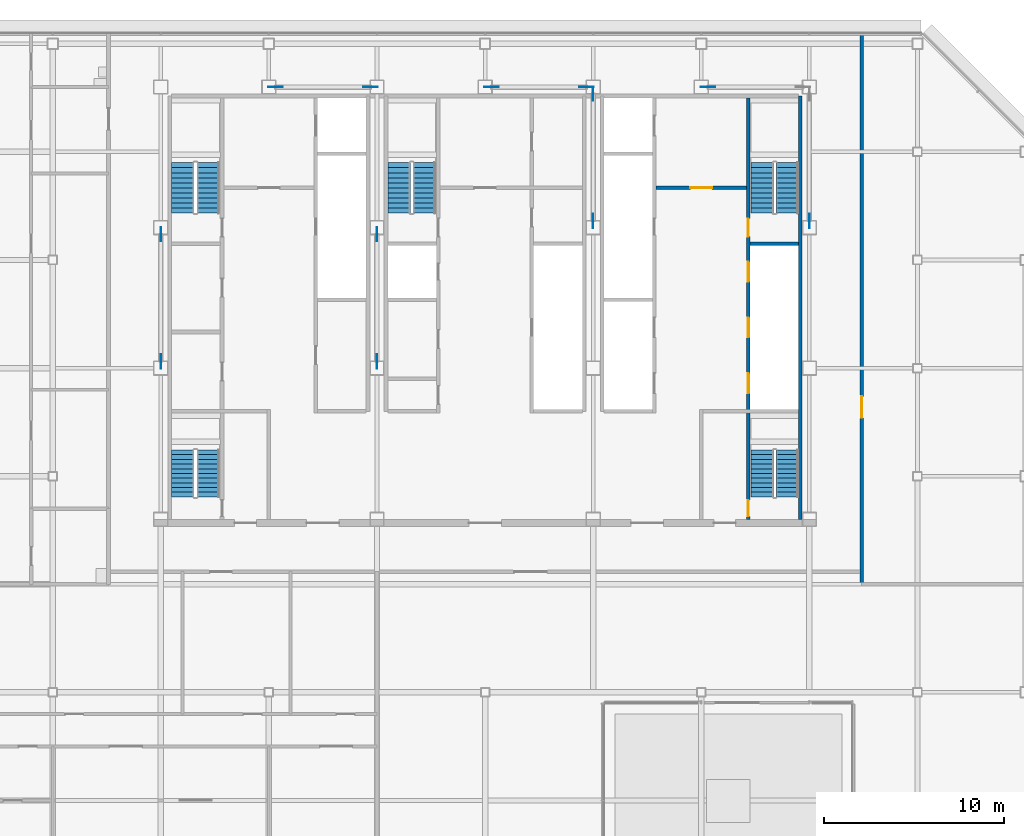
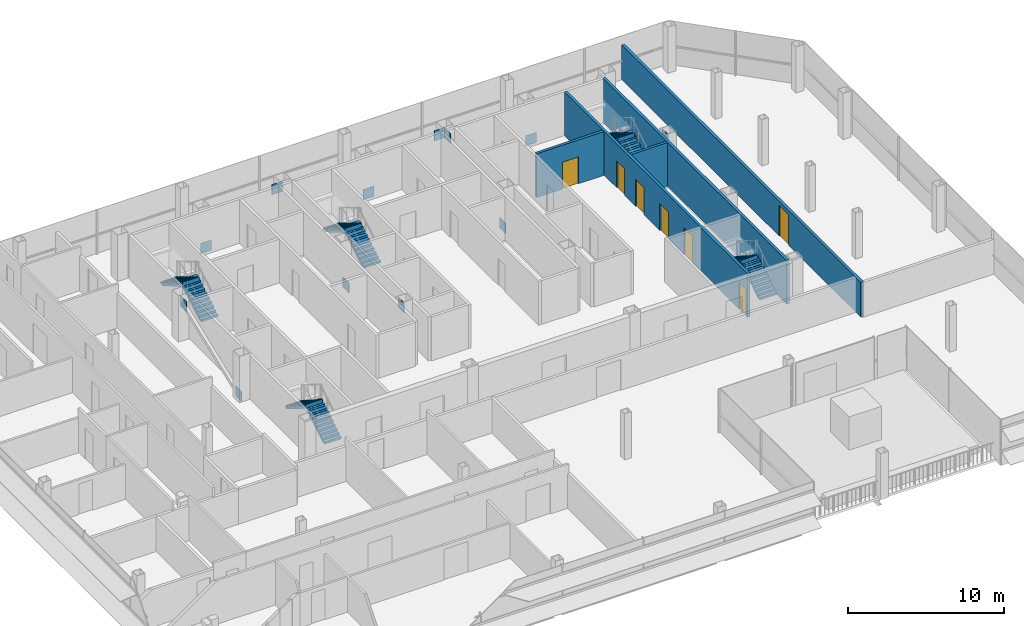
# One storey, part 25 of 30: 12 discrete accessories, 10 stair flights, 7 doors, 5 walls, 7 openings, 5 elements without a shape of their own.
"""IFC4 building model written with IfcOpenShell, lengths in metres."""

from ifc_helpers import new_model, si_unit, direction, frame, frame_2d, origin, origin_2d, place, context, subcontext, project, spatial, polyline, rectangle, outline, extrude, material, layer, layer_set, type_object, element, fill, aggregate, save


model = new_model("IFC4")

# Units and contexts
model_context = context("Model", 3, precision=1e-05, world=origin(), true_north=direction((0.0, 1.0)))
body_context = subcontext(model_context, "Body", "Model", "MODEL_VIEW")
ifc_project = project(units=[si_unit("LENGTHUNIT", "METRE"), si_unit("AREAUNIT", "SQUARE_METRE"), si_unit("VOLUMEUNIT", "CUBIC_METRE"), si_unit("PLANEANGLEUNIT", "RADIAN"), si_unit("MASSUNIT", "GRAM", prefix="KILO")], contexts=[model_context])

# Site, building, storey
site_placement = place(None, origin())
site = spatial("IfcSite", under=ifc_project, at=site_placement, CompositionType="ELEMENT")
building_placement = place(site_placement, origin())
building = spatial("IfcBuilding", under=site, at=building_placement, Name="Sorahane Residences", CompositionType="ELEMENT")
storey_placement = place(building_placement, frame((0.0, 0.0, 263.0)))
storey = spatial("IfcBuildingStorey", under=building, at=storey_placement, Name="L62", CompositionType="ELEMENT", Elevation=263.0)

# Wall
ifc_material_1 = material(Name="Concrete C30", Category="concrete")
ifc_layer_1 = layer(ifc_material_1, 0.199951171875)
ifc_layer_set_1 = layer_set([ifc_layer_1], Name="Core face wall 200 EI 180")
wall_type_1 = type_object("IfcWallType", Name="Core face wall 200 EI 180", PredefinedType="SOLIDWALL", material=ifc_layer_set_1)
wall_1_placement = place(storey_placement, frame((41.5, 21.60009765625, 0.0), z_axis=(0.0, 0.0, 1.0), x_axis=(0.0, 1.0, 0.0)))
element("IfcWall", 1, at=wall_1_placement, inside=storey, type_object=wall_type_1, Name="L62 core face wall", PredefinedType="SOLIDWALL", context=body_context, shape_type="SweptSolid", body=[
    extrude(rectangle(XDim=23.5, YDim=0.199951171875, at=frame_2d((11.75, 0.0))), origin(), (0.0, 0.0, 1.0), 3.419921875),
])

# Wall, opening, door
ifc_material_2 = material(Name="Concrete blockwork C20 wall", Category="masonry")
ifc_layer_2 = layer(ifc_material_2, 0.199951171875)
ifc_layer_set_2 = layer_set([ifc_layer_2], Name="Corridor wall 200 EI 120")
wall_type_2 = type_object("IfcWallType", Name="Corridor wall 200 EI 120", PredefinedType="SOLIDWALL", material=ifc_layer_set_2)
wall_2_placement = place(storey_placement, frame((44.89990234375, 18.001953125, 0.0), z_axis=(0.0, 0.0, 1.0), x_axis=(0.0, 1.0, 0.0)))
wall_2 = element("IfcWall", 2, at=wall_2_placement, inside=storey, type_object=wall_type_2, Name="L62 corridor wall", PredefinedType="SOLIDWALL", context=body_context, shape_type="SweptSolid", body=[
    extrude(rectangle(XDim=30.59814453125, YDim=0.199951171875, at=frame_2d((15.299072265625, 0.0))), origin(), (0.0, 0.0, 1.0), 2.719970703125),
])
opening_1_placement = place(wall_2_placement, frame((9.22998046875, 0.0, 0.0)))
opening_1 = element("IfcOpeningElement", 3, at=opening_1_placement, cuts=wall_2, Name="Opening L62-28", PredefinedType="OPENING", context=body_context, shape_type="SweptSolid", body=[
    extrude(rectangle(XDim=1.199951171875, YDim=2.39990234375, at=frame_2d((0.60009765625, 1.199951171875))), frame((0.0, 0.10986328125, 0.0), z_axis=(0.0, -1.0, 0.0), x_axis=(1.0, 0.0, 0.0)), (0.0, 0.0, 1.0), 0.219970703125),
])
ifc_material_3 = material(Name="Steel", Category="steel")
door_type_1 = type_object("IfcDoorType", Name="Lobby door 1200x2400 FD60", OperationType="NOTDEFINED", PredefinedType="DOOR", material=ifc_material_3)
door_1_placement = place(opening_1_placement, frame((1.199951171875, 0.0, 0.0), z_axis=(0.0, 0.0, 1.0), x_axis=(-1.0, 0.0, 0.0)))
door_1 = element("IfcDoor", 4, at=door_1_placement, inside=storey, type_object=door_type_1, Name="Lobby door L62-28", OperationType="SINGLE_SWING_LEFT", OverallHeight=2.39990234375, OverallWidth=1.199951171875, PredefinedType="DOOR", context=body_context, shape_type="SweptSolid", body=[
    extrude(rectangle(XDim=1.199951171875, YDim=2.39990234375, at=frame_2d((0.60009765625, 1.199951171875))), frame((0.0, 0.02490234375, 0.0), z_axis=(0.0, -1.0, 0.0), x_axis=(1.0, 0.0, 0.0)), (0.0, 0.0, 1.0), 0.050048828125),
])
fill(opening_1, door_1)

ifc_material_4 = material(Name="Concrete C30", Category="concrete")
ifc_layer_3 = layer(ifc_material_4, 0.199951171875)
ifc_layer_set_3 = layer_set([ifc_layer_3], Name="Front room wall 200 EI 120")
wall_type_3 = type_object("IfcWallType", Name="Front room wall 200 EI 120", PredefinedType="PARTITIONING", material=ifc_layer_set_3)
wall_3_placement = place(storey_placement, frame((33.5, 40.0, 0.0), z_axis=(0.0, 0.0, 1.0), x_axis=(1.0, 0.0, 0.0)))
wall_3 = element("IfcWall", 5, at=wall_3_placement, inside=storey, type_object=wall_type_3, Name="L62 front room wall", PredefinedType="PARTITIONING", context=body_context, shape_type="SweptSolid", body=[
    extrude(rectangle(XDim=5.0, YDim=0.199951171875, at=frame_2d((2.5, 0.0))), origin(), (0.0, 0.0, 1.0), 3.419921875),
])
opening_2_placement = place(wall_3_placement, frame((1.89990234375, 0.0, 0.0)))
opening_2 = element("IfcOpeningElement", 6, at=opening_2_placement, cuts=wall_3, Name="Opening L62-C08", PredefinedType="OPENING", context=body_context, shape_type="SweptSolid", body=[
    extrude(rectangle(XDim=1.199951171875, YDim=2.10009765625, at=frame_2d((0.60009765625, 1.050048828125))), frame((0.0, 0.10986328125, 0.0), z_axis=(0.0, -1.0, 0.0), x_axis=(1.0, 0.0, 0.0)), (0.0, 0.0, 1.0), 0.219970703125),
])
ifc_material_5 = material(Name="Steel", Category="steel")
door_type_2 = type_object("IfcDoorType", Name="Front room door 1200x2100 FD120", OperationType="NOTDEFINED", PredefinedType="DOOR", material=ifc_material_5)
door_2_placement = place(opening_2_placement, frame((1.199951171875, 0.0, 0.0), z_axis=(0.0, 0.0, 1.0), x_axis=(-1.0, 0.0, 0.0)))
door_2 = element("IfcDoor", 7, at=door_2_placement, inside=storey, type_object=door_type_2, Name="Front room door Firefighting lobby FF2 front room L62", OperationType="DOUBLE_DOOR_SINGLE_SWING", OverallHeight=2.10009765625, OverallWidth=1.199951171875, PredefinedType="DOOR", context=body_context, shape_type="SweptSolid", body=[
    extrude(rectangle(XDim=1.199951171875, YDim=2.10009765625, at=frame_2d((0.60009765625, 1.050048828125))), frame((0.0, 0.02490234375, 0.0), z_axis=(0.0, -1.0, 0.0), x_axis=(1.0, 0.0, 0.0)), (0.0, 0.0, 1.0), 0.050048828125),
])
fill(opening_2, door_2)

# Wall, openings, doors
ifc_material_6 = material(Name="Concrete C30", Category="concrete")
ifc_layer_4 = layer(ifc_material_6, 0.199951171875)
ifc_layer_set_4 = layer_set([ifc_layer_4], Name="Stair enclosure wall 200 EI 120")
wall_type_4 = type_object("IfcWallType", Name="Stair enclosure wall 200 EI 120", PredefinedType="SOLIDWALL", material=ifc_layer_set_4)
wall_4_placement = place(storey_placement, frame((38.60009765625, 21.60009765625, 0.0), z_axis=(0.0, 0.0, 1.0), x_axis=(0.0, 1.0, 0.0)))
wall_4 = element("IfcWall", 8, at=wall_4_placement, inside=storey, type_object=wall_type_4, Name="L62 stair enclosure wall", PredefinedType="SOLIDWALL", context=body_context, shape_type="SweptSolid", body=[
    extrude(rectangle(XDim=23.39990234375, YDim=0.199951171875, at=frame_2d((11.699951171875, 0.0))), origin(), (0.0, 0.0, 1.0), 3.419921875),
])
opening_3_placement = place(wall_4_placement, frame((7.0, 0.0, 0.0)))
opening_3 = element("IfcOpeningElement", 9, at=opening_3_placement, cuts=wall_4, Name="Opening L62-C09", PredefinedType="OPENING", context=body_context, shape_type="SweptSolid", body=[
    extrude(rectangle(XDim=1.10009765625, YDim=2.10009765625, at=frame_2d((0.550048828125, 1.050048828125))), frame((0.0, 0.10986328125, 0.0), z_axis=(0.0, -1.0, 0.0), x_axis=(1.0, 0.0, 0.0)), (0.0, 0.0, 1.0), 0.219970703125),
])
opening_4_placement = place(wall_4_placement, frame((10.10009765625, 0.0, 0.0)))
opening_4 = element("IfcOpeningElement", 10, at=opening_4_placement, cuts=wall_4, Name="Opening L62-C10", PredefinedType="OPENING", context=body_context, shape_type="SweptSolid", body=[
    extrude(rectangle(XDim=1.10009765625, YDim=2.10009765625, at=frame_2d((0.550048828125, 1.050048828125))), frame((0.0, 0.10986328125, 0.0), z_axis=(0.0, -1.0, 0.0), x_axis=(1.0, 0.0, 0.0)), (0.0, 0.0, 1.0), 0.219970703125),
])
opening_5_placement = place(wall_4_placement, frame((13.199951171875, 0.0, 0.0)))
opening_5 = element("IfcOpeningElement", 11, at=opening_5_placement, cuts=wall_4, Name="Opening L62-C11", PredefinedType="OPENING", context=body_context, shape_type="SweptSolid", body=[
    extrude(rectangle(XDim=1.10009765625, YDim=2.10009765625, at=frame_2d((0.550048828125, 1.050048828125))), frame((0.0, 0.10986328125, 0.0), z_axis=(0.0, -1.0, 0.0), x_axis=(1.0, 0.0, 0.0)), (0.0, 0.0, 1.0), 0.219970703125),
])
opening_6_placement = place(wall_4_placement, frame((15.699951171875, 0.0, 0.0)))
opening_6 = element("IfcOpeningElement", 12, at=opening_6_placement, cuts=wall_4, Name="Opening L62-C22", PredefinedType="OPENING", context=body_context, shape_type="SweptSolid", body=[
    extrude(rectangle(XDim=1.0, YDim=2.10009765625, at=frame_2d((0.5, 1.050048828125))), frame((0.0, 0.10986328125, 0.0), z_axis=(0.0, -1.0, 0.0), x_axis=(1.0, 0.0, 0.0)), (0.0, 0.0, 1.0), 0.219970703125),
])
opening_7_placement = place(wall_4_placement, frame((0.175048828125, 0.0, 0.0)))
opening_7 = element("IfcOpeningElement", 13, at=opening_7_placement, cuts=wall_4, Name="Opening L62-C25", PredefinedType="OPENING", context=body_context, shape_type="SweptSolid", body=[
    extrude(rectangle(XDim=0.89990234375, YDim=2.10009765625, at=frame_2d((0.449951171875, 1.050048828125))), frame((0.0, 0.10986328125, 0.0), z_axis=(0.0, -1.0, 0.0), x_axis=(1.0, 0.0, 0.0)), (0.0, 0.0, 1.0), 0.219970703125),
])
ifc_material_7 = material(Name="Aluminium and stainless steel", Category="steel")
door_type_3 = type_object("IfcDoorType", Name="Lift landing door 1100x2100 E 60", OperationType="NOTDEFINED", PredefinedType="DOOR", material=ifc_material_7)
door_3_placement = place(opening_3_placement, origin())
door_3 = element("IfcDoor", 14, at=door_3_placement, inside=storey, type_object=door_type_3, Name="Lift landing door HR1 L62", OperationType="DOUBLE_DOOR_SLIDING", OverallHeight=2.10009765625, OverallWidth=1.10009765625, PredefinedType="DOOR", context=body_context, shape_type="SweptSolid", body=[
    extrude(rectangle(XDim=1.10009765625, YDim=2.10009765625, at=frame_2d((0.550048828125, 1.050048828125))), frame((0.0, 0.02490234375, 0.0), z_axis=(0.0, -1.0, 0.0), x_axis=(1.0, 0.0, 0.0)), (0.0, 0.0, 1.0), 0.050048828125),
])
fill(opening_3, door_3)
door_4_placement = place(opening_4_placement, origin())
door_4 = element("IfcDoor", 15, at=door_4_placement, inside=storey, type_object=door_type_3, Name="Lift landing door HR2 L62", OperationType="DOUBLE_DOOR_SLIDING", OverallHeight=2.10009765625, OverallWidth=1.10009765625, PredefinedType="DOOR", context=body_context, shape_type="SweptSolid", body=[
    extrude(rectangle(XDim=1.10009765625, YDim=2.10009765625, at=frame_2d((0.550048828125, 1.050048828125))), frame((0.0, 0.02490234375, 0.0), z_axis=(0.0, -1.0, 0.0), x_axis=(1.0, 0.0, 0.0)), (0.0, 0.0, 1.0), 0.050048828125),
])
fill(opening_4, door_4)
door_5_placement = place(opening_5_placement, origin())
door_5 = element("IfcDoor", 16, at=door_5_placement, inside=storey, type_object=door_type_3, Name="Lift landing door HR3 L62", OperationType="DOUBLE_DOOR_SLIDING", OverallHeight=2.10009765625, OverallWidth=1.10009765625, PredefinedType="DOOR", context=body_context, shape_type="SweptSolid", body=[
    extrude(rectangle(XDim=1.10009765625, YDim=2.10009765625, at=frame_2d((0.550048828125, 1.050048828125))), frame((0.0, 0.02490234375, 0.0), z_axis=(0.0, -1.0, 0.0), x_axis=(1.0, 0.0, 0.0)), (0.0, 0.0, 1.0), 0.050048828125),
])
fill(opening_5, door_5)
ifc_material_8 = material(Name="Steel", Category="steel")
door_type_4 = type_object("IfcDoorType", Name="Stair door 1000x2100 FD120", OperationType="NOTDEFINED", PredefinedType="DOOR", material=ifc_material_8)
door_6_placement = place(opening_6_placement, frame((1.0, 0.0, 0.0), z_axis=(0.0, 0.0, 1.0), x_axis=(-1.0, 0.0, 0.0)))
door_6 = element("IfcDoor", 17, at=door_6_placement, inside=storey, type_object=door_type_4, Name="Stair door S2 L62", OperationType="SINGLE_SWING_LEFT", OverallHeight=2.10009765625, OverallWidth=1.0, PredefinedType="DOOR", context=body_context, shape_type="SweptSolid", body=[
    extrude(rectangle(XDim=1.0, YDim=2.10009765625, at=frame_2d((0.5, 1.050048828125))), frame((0.0, 0.02490234375, 0.0), z_axis=(0.0, -1.0, 0.0), x_axis=(1.0, 0.0, 0.0)), (0.0, 0.0, 1.0), 0.050048828125),
])
fill(opening_6, door_6)
ifc_material_9 = material(Name="Steel", Category="steel")
door_type_5 = type_object("IfcDoorType", Name="Stair door 900x2100 FD120", OperationType="NOTDEFINED", PredefinedType="DOOR", material=ifc_material_9)
door_7_placement = place(opening_7_placement, frame((0.89990234375, 0.0, 0.0), z_axis=(0.0, 0.0, 1.0), x_axis=(-1.0, 0.0, 0.0)))
door_7 = element("IfcDoor", 18, at=door_7_placement, inside=storey, type_object=door_type_5, Name="Stair door S5 L62", OperationType="SINGLE_SWING_LEFT", OverallHeight=2.10009765625, OverallWidth=0.89990234375, PredefinedType="DOOR", context=body_context, shape_type="SweptSolid", body=[
    extrude(rectangle(XDim=0.89990234375, YDim=2.10009765625, at=frame_2d((0.449951171875, 1.050048828125))), frame((0.0, 0.02490234375, 0.0), z_axis=(0.0, -1.0, 0.0), x_axis=(1.0, 0.0, 0.0)), (0.0, 0.0, 1.0), 0.050048828125),
])
fill(opening_7, door_7)

# Wall
wall_5_placement = place(storey_placement, frame((38.699951171875, 36.89990234375, 0.0), z_axis=(0.0, 0.0, 1.0), x_axis=(1.0, 0.0, 0.0)))
element("IfcWall", 19, at=wall_5_placement, inside=storey, type_object=wall_type_4, Name="L62 stair enclosure wall", PredefinedType="SOLIDWALL", context=body_context, shape_type="SweptSolid", body=[
    extrude(rectangle(XDim=2.699951171875, YDim=0.199951171875, at=frame_2d((1.35009765625, 0.0))), origin(), (0.0, 0.0, 1.0), 3.419921875),
])

# Stair, stair flights
ifc_material_10 = material(Name="Concrete C40", Category="concrete")
stair_type = type_object("IfcStairType", Name="Dog-leg stair 1250 Concrete C40", PredefinedType="HALF_TURN_STAIR", material=ifc_material_10)
stair_1_placement = place(storey_placement, origin())
stair_1 = element("IfcStair", 20, at=stair_1_placement, inside=storey, type_object=stair_type, Name="L62 Stair S1", PredefinedType="HALF_TURN_STAIR")
ifc_material_11 = material(Name="Concrete C40", Category="concrete")
stair_flight_type = type_object("IfcStairFlightType", Name="Stair flight 1250 Concrete C40", PredefinedType="STRAIGHT", material=ifc_material_11)
stair_flight_1_placement = place(storey_placement, frame((8.625, 38.60009765625, 0.0), z_axis=(0.0, 0.0, 1.0), x_axis=(0.0, 1.0, 0.0)))
stair_flight_1 = element("IfcStairFlight", 21, at=stair_flight_1_placement, type_object=stair_flight_type, Name="S1 flight 1", NumberOfRisers=11, NumberOfTreads=10, PredefinedType="STRAIGHT", RiserHeight=0.163636364, TreadLength=0.28, context=body_context, shape_type="SweptSolid", body=[
    extrude(outline(polyline([(-0.00146484375, 0.0), (-0.00146484375, 0.16357421875), (0.0, 0.16357421875), (0.280029296875, 0.16357421875), (0.280029296875, 0.327392578125), (0.56005859375, 0.327392578125), (0.56005859375, 0.490966796875), (0.840087890625, 0.490966796875), (0.840087890625, 0.654541015625), (1.1201171875, 0.654541015625), (1.1201171875, 0.818115234375), (1.39990234375, 0.818115234375), (1.39990234375, 0.98193359375), (1.679931640625, 0.98193359375), (1.679931640625, 1.1455078125), (1.9599609375, 1.1455078125), (1.9599609375, 1.30908203125), (2.239990234375, 1.30908203125), (2.239990234375, 1.47265625), (2.52001953125, 1.47265625), (2.52001953125, 1.636474609375), (2.800048828125, 1.636474609375), (2.800048828125, 1.800048828125), (2.800048828125, 1.462646484375), (2.59130859375, 1.3408203125), (2.3828125, 1.218994140625), (2.17431640625, 1.09716796875), (1.965576171875, 0.97509765625), (1.757080078125, 0.853271484375), (1.548583984375, 0.7314453125), (1.340087890625, 0.609375), (1.13134765625, 0.487548828125), (0.9228515625, 0.36572265625), (0.71435546875, 0.243896484375), (0.505615234375, 0.121826171875), (0.297119140625, 0.0), (-0.00146484375, 0.0)])), frame((0.0, 0.625, 0.0), z_axis=(0.0, -1.0, 0.0), x_axis=(1.0, 0.0, 0.0)), (0.0, 0.0, 1.0), 1.25),
])
stair_flight_2_placement = place(storey_placement, frame((7.22509765625, 41.39990234375, 1.800048828125), z_axis=(0.0, 0.0, 1.0), x_axis=(0.0, -1.0, 0.0)))
stair_flight_2 = element("IfcStairFlight", 22, at=stair_flight_2_placement, type_object=stair_flight_type, Name="S1 flight 2", NumberOfRisers=11, NumberOfTreads=10, PredefinedType="STRAIGHT", RiserHeight=0.163636364, TreadLength=0.28, context=body_context, shape_type="SweptSolid", body=[
    extrude(outline(polyline([(0.0, 0.0), (0.0, 0.16357421875), (0.280029296875, 0.16357421875), (0.280029296875, 0.327392578125), (0.56005859375, 0.327392578125), (0.56005859375, 0.490966796875), (0.840087890625, 0.490966796875), (0.840087890625, 0.654541015625), (1.1201171875, 0.654541015625), (1.1201171875, 0.818115234375), (1.39990234375, 0.818115234375), (1.39990234375, 0.98193359375), (1.679931640625, 0.98193359375), (1.679931640625, 1.1455078125), (1.9599609375, 1.1455078125), (1.9599609375, 1.30908203125), (2.239990234375, 1.30908203125), (2.239990234375, 1.47265625), (2.52001953125, 1.47265625), (2.52001953125, 1.636474609375), (2.800048828125, 1.636474609375), (2.800048828125, 1.800048828125), (2.801513671875, 1.800048828125), (2.801513671875, 1.462646484375), (2.5927734375, 1.3408203125), (2.384033203125, 1.218994140625), (2.17529296875, 1.09716796875), (1.966796875, 0.97509765625), (1.758056640625, 0.853271484375), (1.54931640625, 0.7314453125), (1.340576171875, 0.609375), (1.1318359375, 0.487548828125), (0.923095703125, 0.36572265625), (0.714599609375, 0.243896484375), (0.505859375, 0.121826171875), (0.297119140625, 0.0), (0.0, 0.0)])), frame((0.0, 0.625, 0.0), z_axis=(0.0, -1.0, 0.0), x_axis=(1.0, 0.0, 0.0)), (0.0, 0.0, 1.0), 1.25),
])
aggregate(stair_1, [stair_flight_1, stair_flight_2])

stair_2_placement = place(storey_placement, origin())
stair_2 = element("IfcStair", 23, at=stair_2_placement, inside=storey, type_object=stair_type, Name="L62 Stair S2", PredefinedType="HALF_TURN_STAIR")
stair_flight_3_placement = place(storey_placement, frame((40.77490234375, 38.60009765625, 0.0), z_axis=(0.0, 0.0, 1.0), x_axis=(0.0, 1.0, 0.0)))
stair_flight_3 = element("IfcStairFlight", 24, at=stair_flight_3_placement, type_object=stair_flight_type, Name="S2 flight 1", NumberOfRisers=11, NumberOfTreads=10, PredefinedType="STRAIGHT", RiserHeight=0.163636364, TreadLength=0.28, context=body_context, shape_type="SweptSolid", body=[
    extrude(outline(polyline([(-0.00146484375, 0.0), (-0.00146484375, 0.16357421875), (0.0, 0.16357421875), (0.280029296875, 0.16357421875), (0.280029296875, 0.327392578125), (0.56005859375, 0.327392578125), (0.56005859375, 0.490966796875), (0.840087890625, 0.490966796875), (0.840087890625, 0.654541015625), (1.1201171875, 0.654541015625), (1.1201171875, 0.818115234375), (1.39990234375, 0.818115234375), (1.39990234375, 0.98193359375), (1.679931640625, 0.98193359375), (1.679931640625, 1.1455078125), (1.9599609375, 1.1455078125), (1.9599609375, 1.30908203125), (2.239990234375, 1.30908203125), (2.239990234375, 1.47265625), (2.52001953125, 1.47265625), (2.52001953125, 1.636474609375), (2.800048828125, 1.636474609375), (2.800048828125, 1.800048828125), (2.800048828125, 1.462646484375), (2.59130859375, 1.3408203125), (2.3828125, 1.218994140625), (2.17431640625, 1.09716796875), (1.965576171875, 0.97509765625), (1.757080078125, 0.853271484375), (1.548583984375, 0.7314453125), (1.340087890625, 0.609375), (1.13134765625, 0.487548828125), (0.9228515625, 0.36572265625), (0.71435546875, 0.243896484375), (0.505615234375, 0.121826171875), (0.297119140625, 0.0), (-0.00146484375, 0.0)])), frame((0.0, 0.625, 0.0), z_axis=(0.0, -1.0, 0.0), x_axis=(1.0, 0.0, 0.0)), (0.0, 0.0, 1.0), 1.25),
])
stair_flight_4_placement = place(storey_placement, frame((39.375, 41.39990234375, 1.800048828125), z_axis=(0.0, 0.0, 1.0), x_axis=(0.0, -1.0, 0.0)))
stair_flight_4 = element("IfcStairFlight", 25, at=stair_flight_4_placement, type_object=stair_flight_type, Name="S2 flight 2", NumberOfRisers=11, NumberOfTreads=10, PredefinedType="STRAIGHT", RiserHeight=0.163636364, TreadLength=0.28, context=body_context, shape_type="SweptSolid", body=[
    extrude(outline(polyline([(0.0, 0.0), (0.0, 0.16357421875), (0.280029296875, 0.16357421875), (0.280029296875, 0.327392578125), (0.56005859375, 0.327392578125), (0.56005859375, 0.490966796875), (0.840087890625, 0.490966796875), (0.840087890625, 0.654541015625), (1.1201171875, 0.654541015625), (1.1201171875, 0.818115234375), (1.39990234375, 0.818115234375), (1.39990234375, 0.98193359375), (1.679931640625, 0.98193359375), (1.679931640625, 1.1455078125), (1.9599609375, 1.1455078125), (1.9599609375, 1.30908203125), (2.239990234375, 1.30908203125), (2.239990234375, 1.47265625), (2.52001953125, 1.47265625), (2.52001953125, 1.636474609375), (2.800048828125, 1.636474609375), (2.800048828125, 1.800048828125), (2.801513671875, 1.800048828125), (2.801513671875, 1.462646484375), (2.5927734375, 1.3408203125), (2.384033203125, 1.218994140625), (2.17529296875, 1.09716796875), (1.966796875, 0.97509765625), (1.758056640625, 0.853271484375), (1.54931640625, 0.7314453125), (1.340576171875, 0.609375), (1.1318359375, 0.487548828125), (0.923095703125, 0.36572265625), (0.714599609375, 0.243896484375), (0.505859375, 0.121826171875), (0.297119140625, 0.0), (0.0, 0.0)])), frame((0.0, 0.625, 0.0), z_axis=(0.0, -1.0, 0.0), x_axis=(1.0, 0.0, 0.0)), (0.0, 0.0, 1.0), 1.25),
])
aggregate(stair_2, [stair_flight_3, stair_flight_4])

stair_3_placement = place(storey_placement, origin())
stair_3 = element("IfcStair", 26, at=stair_3_placement, inside=storey, type_object=stair_type, Name="L62 Stair S3", PredefinedType="HALF_TURN_STAIR")
stair_flight_5_placement = place(storey_placement, frame((20.625, 38.60009765625, 0.0), z_axis=(0.0, 0.0, 1.0), x_axis=(0.0, 1.0, 0.0)))
stair_flight_5 = element("IfcStairFlight", 27, at=stair_flight_5_placement, type_object=stair_flight_type, Name="S3 flight 1", NumberOfRisers=11, NumberOfTreads=10, PredefinedType="STRAIGHT", RiserHeight=0.163636364, TreadLength=0.28, context=body_context, shape_type="SweptSolid", body=[
    extrude(outline(polyline([(-0.00146484375, 0.0), (-0.00146484375, 0.16357421875), (0.0, 0.16357421875), (0.280029296875, 0.16357421875), (0.280029296875, 0.327392578125), (0.56005859375, 0.327392578125), (0.56005859375, 0.490966796875), (0.840087890625, 0.490966796875), (0.840087890625, 0.654541015625), (1.1201171875, 0.654541015625), (1.1201171875, 0.818115234375), (1.39990234375, 0.818115234375), (1.39990234375, 0.98193359375), (1.679931640625, 0.98193359375), (1.679931640625, 1.1455078125), (1.9599609375, 1.1455078125), (1.9599609375, 1.30908203125), (2.239990234375, 1.30908203125), (2.239990234375, 1.47265625), (2.52001953125, 1.47265625), (2.52001953125, 1.636474609375), (2.800048828125, 1.636474609375), (2.800048828125, 1.800048828125), (2.800048828125, 1.462646484375), (2.59130859375, 1.3408203125), (2.3828125, 1.218994140625), (2.17431640625, 1.09716796875), (1.965576171875, 0.97509765625), (1.757080078125, 0.853271484375), (1.548583984375, 0.7314453125), (1.340087890625, 0.609375), (1.13134765625, 0.487548828125), (0.9228515625, 0.36572265625), (0.71435546875, 0.243896484375), (0.505615234375, 0.121826171875), (0.297119140625, 0.0), (-0.00146484375, 0.0)])), frame((0.0, 0.625, 0.0), z_axis=(0.0, -1.0, 0.0), x_axis=(1.0, 0.0, 0.0)), (0.0, 0.0, 1.0), 1.25),
])
stair_flight_6_placement = place(storey_placement, frame((19.22509765625, 41.39990234375, 1.800048828125), z_axis=(0.0, 0.0, 1.0), x_axis=(0.0, -1.0, 0.0)))
stair_flight_6 = element("IfcStairFlight", 28, at=stair_flight_6_placement, type_object=stair_flight_type, Name="S3 flight 2", NumberOfRisers=11, NumberOfTreads=10, PredefinedType="STRAIGHT", RiserHeight=0.163636364, TreadLength=0.28, context=body_context, shape_type="SweptSolid", body=[
    extrude(outline(polyline([(0.0, 0.0), (0.0, 0.16357421875), (0.280029296875, 0.16357421875), (0.280029296875, 0.327392578125), (0.56005859375, 0.327392578125), (0.56005859375, 0.490966796875), (0.840087890625, 0.490966796875), (0.840087890625, 0.654541015625), (1.1201171875, 0.654541015625), (1.1201171875, 0.818115234375), (1.39990234375, 0.818115234375), (1.39990234375, 0.98193359375), (1.679931640625, 0.98193359375), (1.679931640625, 1.1455078125), (1.9599609375, 1.1455078125), (1.9599609375, 1.30908203125), (2.239990234375, 1.30908203125), (2.239990234375, 1.47265625), (2.52001953125, 1.47265625), (2.52001953125, 1.636474609375), (2.800048828125, 1.636474609375), (2.800048828125, 1.800048828125), (2.801513671875, 1.800048828125), (2.801513671875, 1.462646484375), (2.5927734375, 1.3408203125), (2.384033203125, 1.218994140625), (2.17529296875, 1.09716796875), (1.966796875, 0.97509765625), (1.758056640625, 0.853271484375), (1.54931640625, 0.7314453125), (1.340576171875, 0.609375), (1.1318359375, 0.487548828125), (0.923095703125, 0.36572265625), (0.714599609375, 0.243896484375), (0.505859375, 0.121826171875), (0.297119140625, 0.0), (0.0, 0.0)])), frame((0.0, 0.625, 0.0), z_axis=(0.0, -1.0, 0.0), x_axis=(1.0, 0.0, 0.0)), (0.0, 0.0, 1.0), 1.25),
])
aggregate(stair_3, [stair_flight_5, stair_flight_6])

stair_4_placement = place(storey_placement, origin())
stair_4 = element("IfcStair", 29, at=stair_4_placement, inside=storey, type_object=stair_type, Name="L62 Stair S4", PredefinedType="HALF_TURN_STAIR")
stair_flight_7_placement = place(storey_placement, frame((8.625, 22.85009765625, 0.0), z_axis=(0.0, 0.0, 1.0), x_axis=(0.0, 1.0, 0.0)))
stair_flight_7 = element("IfcStairFlight", 30, at=stair_flight_7_placement, type_object=stair_flight_type, Name="S4 flight 1", NumberOfRisers=11, NumberOfTreads=10, PredefinedType="STRAIGHT", RiserHeight=0.163636364, TreadLength=0.26, context=body_context, shape_type="SweptSolid", body=[
    extrude(outline(polyline([(-0.00146484375, 0.0), (-0.00146484375, 0.16357421875), (0.0, 0.16357421875), (0.260009765625, 0.16357421875), (0.260009765625, 0.327392578125), (0.52001953125, 0.327392578125), (0.52001953125, 0.490966796875), (0.780029296875, 0.490966796875), (0.780029296875, 0.654541015625), (1.0400390625, 0.654541015625), (1.0400390625, 0.818115234375), (1.300048828125, 0.818115234375), (1.300048828125, 0.98193359375), (1.56005859375, 0.98193359375), (1.56005859375, 1.1455078125), (1.820068359375, 1.1455078125), (1.820068359375, 1.30908203125), (2.080078125, 1.30908203125), (2.080078125, 1.47265625), (2.340087890625, 1.47265625), (2.340087890625, 1.636474609375), (2.60009765625, 1.636474609375), (2.60009765625, 1.800048828125), (2.60009765625, 1.494384765625), (2.402099609375, 1.369873046875), (2.204345703125, 1.245361328125), (2.00634765625, 1.120849609375), (1.80859375, 0.996337890625), (1.610595703125, 0.871826171875), (1.412841796875, 0.747314453125), (1.21484375, 0.622802734375), (1.01708984375, 0.498046875), (0.819091796875, 0.37353515625), (0.621337890625, 0.2490234375), (0.42333984375, 0.12451171875), (0.2255859375, 0.0), (-0.00146484375, 0.0)])), frame((0.0, 0.625, 0.0), z_axis=(0.0, -1.0, 0.0), x_axis=(1.0, 0.0, 0.0)), (0.0, 0.0, 1.0), 1.25),
])
stair_flight_8_placement = place(storey_placement, frame((7.22509765625, 25.449951171875, 1.800048828125), z_axis=(0.0, 0.0, 1.0), x_axis=(0.0, -1.0, 0.0)))
stair_flight_8 = element("IfcStairFlight", 31, at=stair_flight_8_placement, type_object=stair_flight_type, Name="S4 flight 2", NumberOfRisers=11, NumberOfTreads=10, PredefinedType="STRAIGHT", RiserHeight=0.163636364, TreadLength=0.26, context=body_context, shape_type="SweptSolid", body=[
    extrude(outline(polyline([(0.0, 0.0), (0.0, 0.16357421875), (0.260009765625, 0.16357421875), (0.260009765625, 0.327392578125), (0.52001953125, 0.327392578125), (0.52001953125, 0.490966796875), (0.780029296875, 0.490966796875), (0.780029296875, 0.654541015625), (1.0400390625, 0.654541015625), (1.0400390625, 0.818115234375), (1.300048828125, 0.818115234375), (1.300048828125, 0.98193359375), (1.56005859375, 0.98193359375), (1.56005859375, 1.1455078125), (1.820068359375, 1.1455078125), (1.820068359375, 1.30908203125), (2.080078125, 1.30908203125), (2.080078125, 1.47265625), (2.340087890625, 1.47265625), (2.340087890625, 1.636474609375), (2.60009765625, 1.636474609375), (2.60009765625, 1.800048828125), (2.6015625, 1.800048828125), (2.6015625, 1.494384765625), (2.403564453125, 1.369873046875), (2.20556640625, 1.245361328125), (2.007568359375, 1.120849609375), (1.8095703125, 0.996337890625), (1.611572265625, 0.871826171875), (1.41357421875, 0.747314453125), (1.215576171875, 0.622802734375), (1.017578125, 0.498046875), (0.819580078125, 0.37353515625), (0.62158203125, 0.2490234375), (0.423583984375, 0.12451171875), (0.2255859375, 0.0), (0.0, 0.0)])), frame((0.0, 0.625, 0.0), z_axis=(0.0, -1.0, 0.0), x_axis=(1.0, 0.0, 0.0)), (0.0, 0.0, 1.0), 1.25),
])
aggregate(stair_4, [stair_flight_7, stair_flight_8])

stair_5_placement = place(storey_placement, origin())
stair_5 = element("IfcStair", 32, at=stair_5_placement, inside=storey, type_object=stair_type, Name="L62 Stair S5", PredefinedType="HALF_TURN_STAIR")
stair_flight_9_placement = place(storey_placement, frame((40.77490234375, 22.85009765625, 0.0), z_axis=(0.0, 0.0, 1.0), x_axis=(0.0, 1.0, 0.0)))
stair_flight_9 = element("IfcStairFlight", 33, at=stair_flight_9_placement, type_object=stair_flight_type, Name="S5 flight 1", NumberOfRisers=11, NumberOfTreads=10, PredefinedType="STRAIGHT", RiserHeight=0.163636364, TreadLength=0.26, context=body_context, shape_type="SweptSolid", body=[
    extrude(outline(polyline([(-0.00146484375, 0.0), (-0.00146484375, 0.16357421875), (0.0, 0.16357421875), (0.260009765625, 0.16357421875), (0.260009765625, 0.327392578125), (0.52001953125, 0.327392578125), (0.52001953125, 0.490966796875), (0.780029296875, 0.490966796875), (0.780029296875, 0.654541015625), (1.0400390625, 0.654541015625), (1.0400390625, 0.818115234375), (1.300048828125, 0.818115234375), (1.300048828125, 0.98193359375), (1.56005859375, 0.98193359375), (1.56005859375, 1.1455078125), (1.820068359375, 1.1455078125), (1.820068359375, 1.30908203125), (2.080078125, 1.30908203125), (2.080078125, 1.47265625), (2.340087890625, 1.47265625), (2.340087890625, 1.636474609375), (2.60009765625, 1.636474609375), (2.60009765625, 1.800048828125), (2.60009765625, 1.494384765625), (2.402099609375, 1.369873046875), (2.204345703125, 1.245361328125), (2.00634765625, 1.120849609375), (1.80859375, 0.996337890625), (1.610595703125, 0.871826171875), (1.412841796875, 0.747314453125), (1.21484375, 0.622802734375), (1.01708984375, 0.498046875), (0.819091796875, 0.37353515625), (0.621337890625, 0.2490234375), (0.42333984375, 0.12451171875), (0.2255859375, 0.0), (-0.00146484375, 0.0)])), frame((0.0, 0.625, 0.0), z_axis=(0.0, -1.0, 0.0), x_axis=(1.0, 0.0, 0.0)), (0.0, 0.0, 1.0), 1.25),
])
stair_flight_10_placement = place(storey_placement, frame((39.375, 25.449951171875, 1.800048828125), z_axis=(0.0, 0.0, 1.0), x_axis=(0.0, -1.0, 0.0)))
stair_flight_10 = element("IfcStairFlight", 34, at=stair_flight_10_placement, type_object=stair_flight_type, Name="S5 flight 2", NumberOfRisers=11, NumberOfTreads=10, PredefinedType="STRAIGHT", RiserHeight=0.163636364, TreadLength=0.26, context=body_context, shape_type="SweptSolid", body=[
    extrude(outline(polyline([(0.0, 0.0), (0.0, 0.16357421875), (0.260009765625, 0.16357421875), (0.260009765625, 0.327392578125), (0.52001953125, 0.327392578125), (0.52001953125, 0.490966796875), (0.780029296875, 0.490966796875), (0.780029296875, 0.654541015625), (1.0400390625, 0.654541015625), (1.0400390625, 0.818115234375), (1.300048828125, 0.818115234375), (1.300048828125, 0.98193359375), (1.56005859375, 0.98193359375), (1.56005859375, 1.1455078125), (1.820068359375, 1.1455078125), (1.820068359375, 1.30908203125), (2.080078125, 1.30908203125), (2.080078125, 1.47265625), (2.340087890625, 1.47265625), (2.340087890625, 1.636474609375), (2.60009765625, 1.636474609375), (2.60009765625, 1.800048828125), (2.6015625, 1.800048828125), (2.6015625, 1.494384765625), (2.403564453125, 1.369873046875), (2.20556640625, 1.245361328125), (2.007568359375, 1.120849609375), (1.8095703125, 0.996337890625), (1.611572265625, 0.871826171875), (1.41357421875, 0.747314453125), (1.215576171875, 0.622802734375), (1.017578125, 0.498046875), (0.819580078125, 0.37353515625), (0.62158203125, 0.2490234375), (0.423583984375, 0.12451171875), (0.2255859375, 0.0), (0.0, 0.0)])), frame((0.0, 0.625, 0.0), z_axis=(0.0, -1.0, 0.0), x_axis=(1.0, 0.0, 0.0)), (0.0, 0.0, 1.0), 1.25),
])
aggregate(stair_5, [stair_flight_9, stair_flight_10])

# Discrete accessories
ifc_material_12 = material(Name="Steel Q355B", Category="steel")
ifc_layer_5 = layer(ifc_material_12, 0.02490234375)
ifc_layer_set_5 = layer_set([ifc_layer_5], Name="Node plate Steel Q355B 25")
discrete_accessory_type = type_object("IfcDiscreteAccessoryType", Name="Node plate Steel Q355B 25", PredefinedType="BRACKET", material=ifc_layer_set_5)
for number, where, z_axis, x_axis, name in (
    (35, (6.0, 30.372802734375, -0.28564453125), (0.0, 0.0, 1.0), (0.0, 1.0, 0.0), "Node plate L62 br"),
    (36, (6.0, 37.42724609375, 2.45556640625), (0.0, 0.0, 1.0), (0.0, 1.0, 0.0), "Node plate L62 br"),
    (37, (18.0, 37.42724609375, -0.28564453125), (0.0, 0.0, 1.0), (0.0, 1.0, 0.0), "Node plate L62 br"),
    (38, (18.0, 30.372802734375, 2.45556640625), (0.0, 0.0, 1.0), (0.0, 1.0, 0.0), "Node plate L62 br"),
    (39, (30.0, 38.1728515625, -0.28564453125), (0.0, 0.0, 1.0), (0.0, 1.0, 0.0), "Node plate L62 br"),
    (40, (30.0, 45.227294921875, 2.45556640625), (0.0, 0.0, 1.0), (0.0, 1.0, 0.0), "Node plate L62 br"),
    (41, (42.0, 38.1728515625, 2.45556640625), (0.0, 0.0, 1.0), (0.0, 1.0, 0.0), "Node plate L62 br"),
    (42, (12.365234375, 45.60009765625, -0.29345703125), (0.0, 0.0, 1.0), (1.0, 0.0, 0.0), "Node plate L62 br"),
    (43, (24.365234375, 45.60009765625, -0.29345703125), (0.0, 0.0, 1.0), (1.0, 0.0, 0.0), "Node plate L62 br"),
    (44, (36.365234375, 45.60009765625, -0.29345703125), (0.0, 0.0, 1.0), (1.0, 0.0, 0.0), "Node plate L62 br"),
    (45, (17.634765625, 45.60009765625, 2.46337890625), (0.0, 0.0, 1.0), (1.0, 0.0, 0.0), "Node plate L62 br"),
    (46, (29.634765625, 45.60009765625, 2.46337890625), (0.0, 0.0, 1.0), (1.0, 0.0, 0.0), "Node plate L62 br"),
):
    element("IfcDiscreteAccessory", number, at=place(storey_placement, frame(where, z_axis=z_axis, x_axis=x_axis)), inside=storey, type_object=discrete_accessory_type, Name=name, PredefinedType="BRACKET", context=body_context, shape_type="SweptSolid", body=[
        extrude(rectangle(XDim=0.800048828125, YDim=0.02490234375, at=origin_2d()), origin(), (0.0, 0.0, 1.0), 0.800048828125),
    ])

save(model, "model.ifc")
